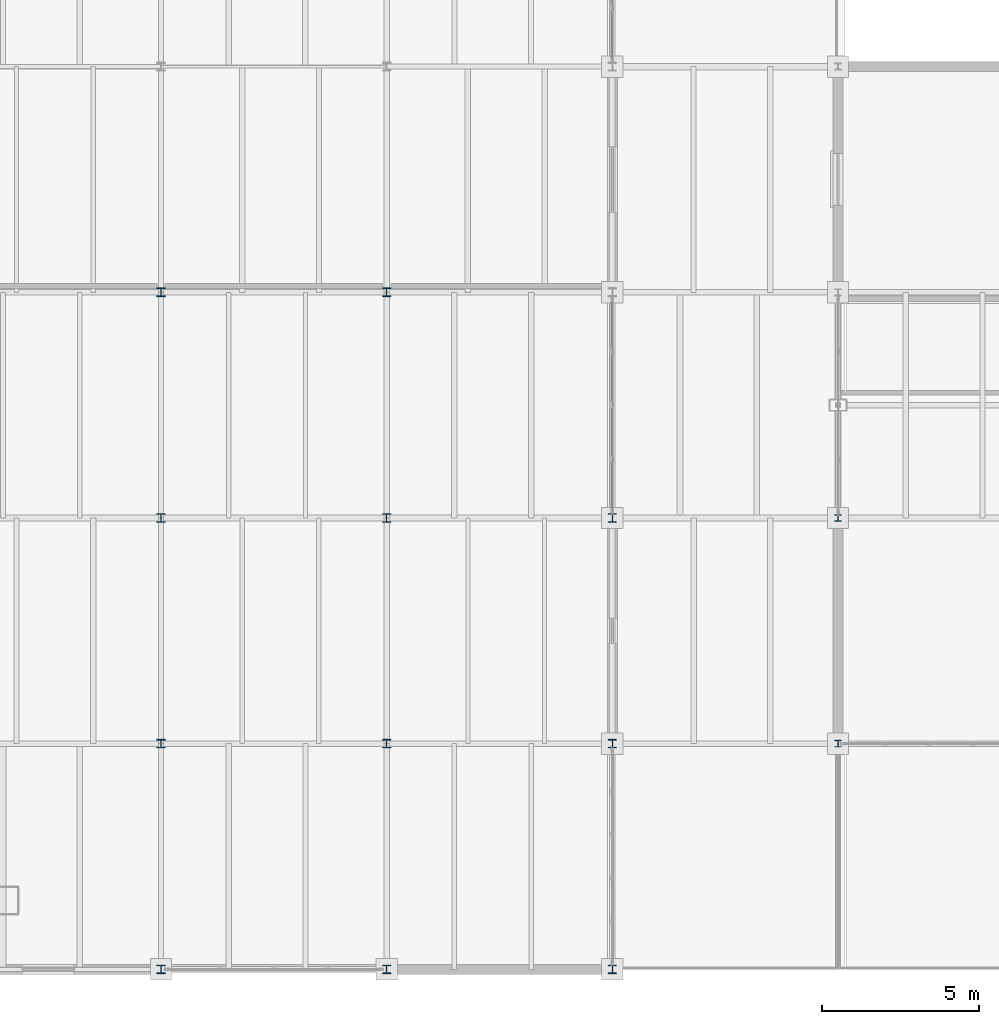
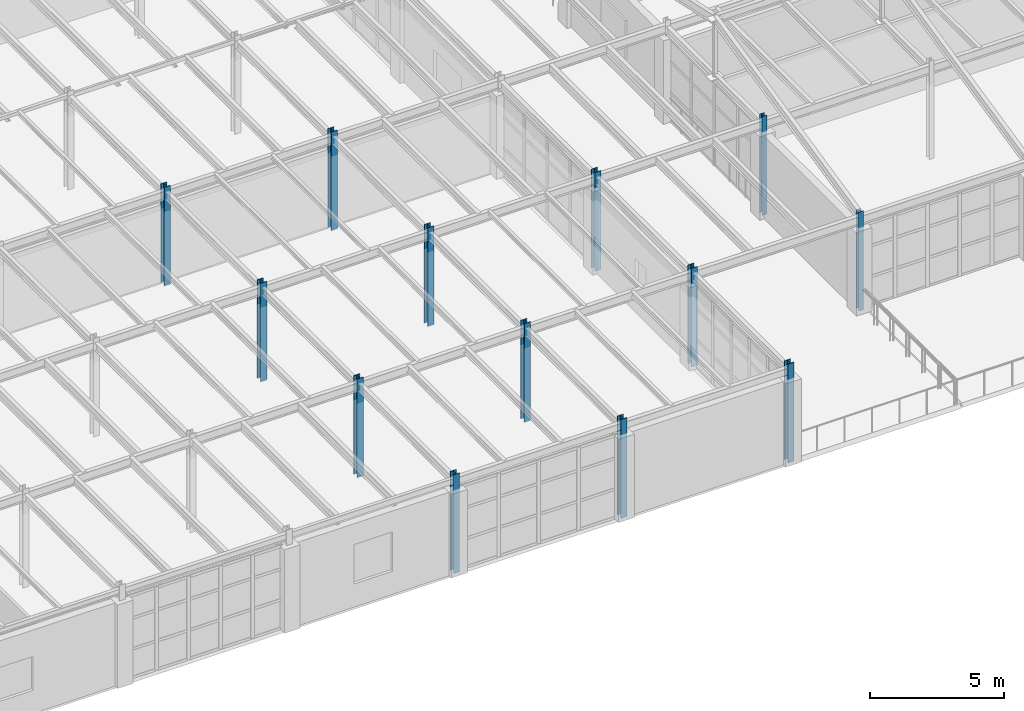
# One storey, part 2 of 101: 13 columns.
"""IFC4 building model written with IfcOpenShell, lengths in metres."""

from ifc_helpers import new_model, si_unit, direction, frame, origin, origin_2d, place, context, subcontext, project, spatial, i_section, extrude, material, material_profile, profile_set, type_object, element, save


model = new_model("IFC4")

# Units and contexts
model_context = context("Model", 3, precision=1e-05, world=origin(), true_north=direction((0.0, 1.0)))
body_context = subcontext(model_context, "Body", "Model", "MODEL_VIEW")
ifc_project = project(units=[si_unit("LENGTHUNIT", "METRE"), si_unit("AREAUNIT", "SQUARE_METRE"), si_unit("VOLUMEUNIT", "CUBIC_METRE"), si_unit("PLANEANGLEUNIT", "RADIAN"), si_unit("MASSUNIT", "GRAM", prefix="KILO")], contexts=[model_context])

# Site, building, storey
site_placement = place(None, origin())
site = spatial("IfcSite", under=ifc_project, at=site_placement, CompositionType="ELEMENT")
building_placement = place(site_placement, origin())
building = spatial("IfcBuilding", under=site, at=building_placement, Name="Kemerveld Promenade Tramway Depot", CompositionType="ELEMENT")
storey_placement = place(building_placement, frame((0.0, 0.0, 9.89990234375)))
storey = spatial("IfcBuildingStorey", under=building, at=storey_placement, Name="L02", CompositionType="ELEMENT", Elevation=9.89990234375)

# Columns
ifc_material = material(Name="Steel S355", Category="steel")
ifc_material_profile_1 = material_profile(ifc_material, i_section(OverallWidth=0.26123046875, OverallDepth=0.2763671875, WebThickness=0.015380859375, FlangeThickness=0.025390625, FilletRadius=0.0126953125, at=origin_2d()), Name="254x254x132 UC")
ifc_profile_set_1 = profile_set([ifc_material_profile_1], Name="Steel S355")
column_type_1 = type_object("IfcColumnType", Name="COL-S07", PredefinedType="COLUMN", material=ifc_profile_set_1)
for number, where, z_axis, x_axis, name in (
    (1, (36.0, 0.0, 0.0), (0.0, 0.0, 1.0), (1.0, 0.0, 0.0), "COL-L02-06-A"),
    (2, (36.0, 7.199951171875, 0.0), (0.0, 0.0, 1.0), (1.0, 0.0, 0.0), "COL-L02-06-B"),
    (3, (36.0, 14.39990234375, 0.0), (0.0, 0.0, 1.0), (1.0, 0.0, 0.0), "COL-L02-06-C"),
    (4, (36.0, 21.60009765625, 0.0), (0.0, 0.0, 1.0), (1.0, 0.0, 0.0), "COL-L02-06-D"),
    (5, (43.199951171875, 0.0, 0.0), (0.0, 0.0, 1.0), (1.0, 0.0, 0.0), "COL-L02-07-A"),
    (6, (43.199951171875, 7.199951171875, 0.0), (0.0, 0.0, 1.0), (1.0, 0.0, 0.0), "COL-L02-07-B"),
    (7, (43.199951171875, 14.39990234375, 0.0), (0.0, 0.0, 1.0), (1.0, 0.0, 0.0), "COL-L02-07-C"),
    (8, (43.199951171875, 21.60009765625, 0.0), (0.0, 0.0, 1.0), (1.0, 0.0, 0.0), "COL-L02-07-D"),
    (9, (50.39990234375, 0.0, 0.0), (0.0, 0.0, 1.0), (1.0, 0.0, 0.0), "COL-L02-08-A"),
    (10, (50.39990234375, 7.199951171875, 0.0), (0.0, 0.0, 1.0), (1.0, 0.0, 0.0), "COL-L02-08-B"),
    (11, (50.39990234375, 14.39990234375, 0.0), (0.0, 0.0, 1.0), (1.0, 0.0, 0.0), "COL-L02-08-C"),
):
    element("IfcColumn", number, at=place(storey_placement, frame(where, z_axis=z_axis, x_axis=x_axis)), inside=storey, type_object=column_type_1, Name=name, PredefinedType="COLUMN", context=body_context, shape_type="SweptSolid", body=[
        extrude(i_section(OverallWidth=0.26123046875, OverallDepth=0.2763671875, WebThickness=0.015380859375, FlangeThickness=0.025390625, FilletRadius=0.0126953125, at=origin_2d()), origin(), (0.0, 0.0, 1.0), 4.5),
    ])
ifc_material_profile_2 = material_profile(ifc_material, i_section(OverallWidth=0.205810546875, OverallDepth=0.209716796875, WebThickness=0.009521484375, FlangeThickness=0.01416015625, FilletRadius=0.01025390625, at=origin_2d()), Name="203x203x60 UC")
ifc_profile_set_2 = profile_set([ifc_material_profile_2], Name="Steel S355")
column_type_2 = type_object("IfcColumnType", Name="COL-S10", PredefinedType="COLUMN", material=ifc_profile_set_2)
for number, where, z_axis, x_axis, name in (
    (12, (57.60009765625, 7.199951171875, 0.0), (0.0, 0.0, 1.0), (1.0, 0.0, 0.0), "COL-L02-09-B"),
    (13, (57.60009765625, 14.39990234375, 0.0), (0.0, 0.0, 1.0), (1.0, 0.0, 0.0), "COL-L02-09-C"),
):
    element("IfcColumn", number, at=place(storey_placement, frame(where, z_axis=z_axis, x_axis=x_axis)), inside=storey, type_object=column_type_2, Name=name, PredefinedType="COLUMN", context=body_context, shape_type="SweptSolid", body=[
        extrude(i_section(OverallWidth=0.205810546875, OverallDepth=0.209716796875, WebThickness=0.009521484375, FlangeThickness=0.01416015625, FilletRadius=0.01025390625, at=origin_2d()), origin(), (0.0, 0.0, 1.0), 4.5),
    ])

save(model, "model.ifc")
